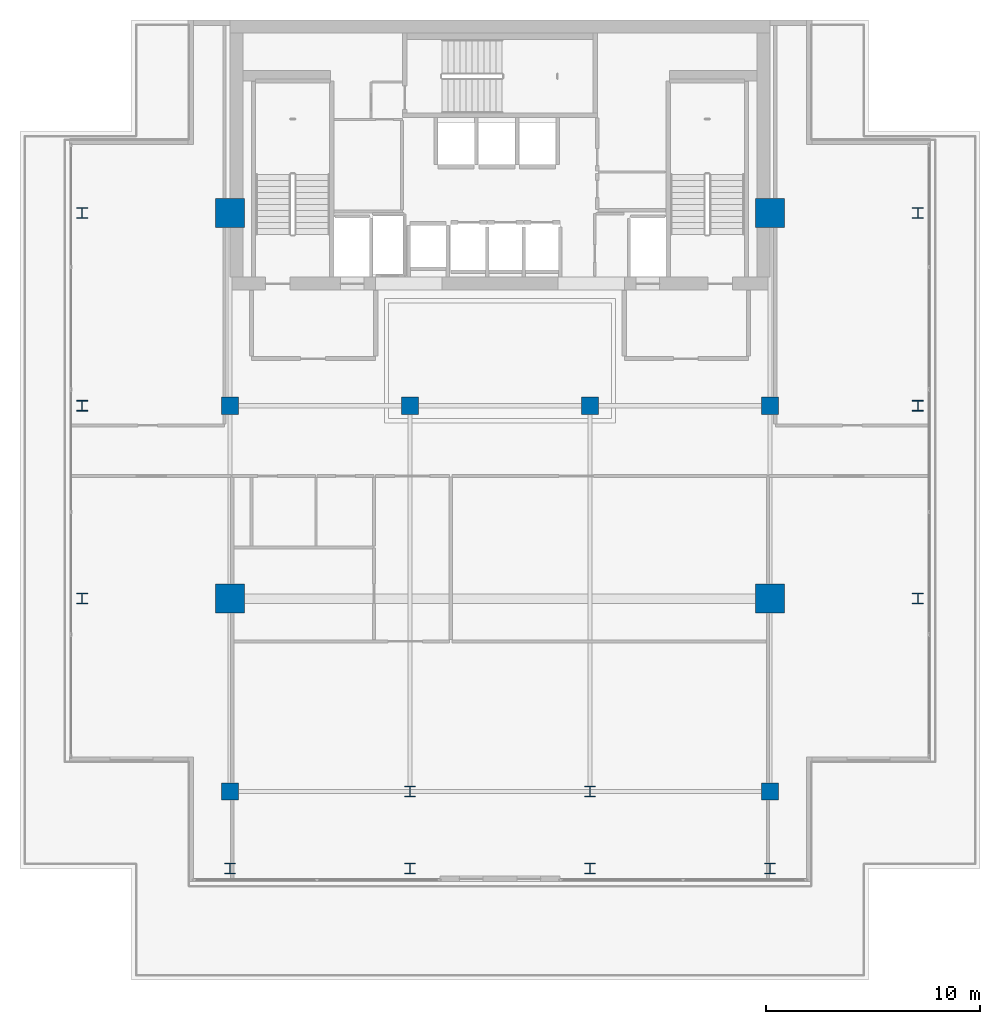
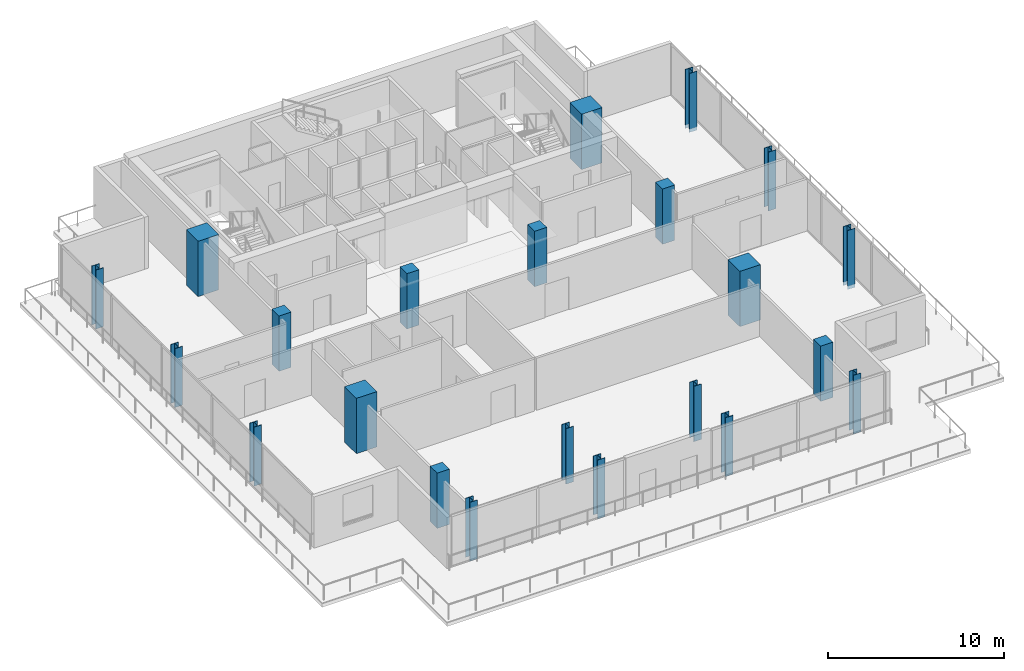
# One storey, part 1 of 21: 22 columns.
"""IFC4 building model written with IfcOpenShell, lengths in metres."""

from ifc_helpers import new_model, si_unit, direction, frame, origin, origin_2d, place, context, subcontext, project, spatial, rectangle, i_section, extrude, material, material_profile, profile_set, type_object, element, save


model = new_model("IFC4")

# Units and contexts
model_context = context("Model", 3, precision=1e-05, world=origin(), true_north=direction((0.0, 1.0)))
body_context = subcontext(model_context, "Body", "Model", "MODEL_VIEW")
ifc_project = project(units=[si_unit("LENGTHUNIT", "METRE"), si_unit("AREAUNIT", "SQUARE_METRE"), si_unit("VOLUMEUNIT", "CUBIC_METRE"), si_unit("PLANEANGLEUNIT", "RADIAN"), si_unit("MASSUNIT", "GRAM", prefix="KILO")], contexts=[model_context])

# Site, building, storey
site_placement = place(None, origin())
site = spatial("IfcSite", under=ifc_project, at=site_placement, CompositionType="ELEMENT")
building_placement = place(site_placement, origin())
building = spatial("IfcBuilding", under=site, at=building_placement, Name="Maruvema Waterfront Hotel and Observation Tower", CompositionType="ELEMENT")
storey_placement = place(building_placement, frame((0.0, 0.0, 322.0)))
storey = spatial("IfcBuildingStorey", under=building, at=storey_placement, Name="L79", CompositionType="ELEMENT", Elevation=322.0)

# Columns
ifc_material_1 = material(Name="Concrete C70/85", Category="concrete")
ifc_material_profile_1 = material_profile(ifc_material_1, rectangle(XDim=1.35009765625, YDim=1.35009765625, at=origin_2d()), Name="MC1350x1350")
ifc_profile_set_1 = profile_set([ifc_material_profile_1], Name="Concrete C70/85")
column_type_1 = type_object("IfcColumnType", Name="Continuous Mega-Column MC1350x1350", PredefinedType="COLUMN", material=ifc_profile_set_1)
for number, where, z_axis, x_axis, name in (
    (1, (25.199951171875, 27.0, 0.0), (0.0, 0.0, 1.0), (1.0, 0.0, 0.0), "L79 Continuous Mega-Column MC-01"),
    (2, (50.39990234375, 27.0, 0.0), (0.0, 0.0, 1.0), (1.0, 0.0, 0.0), "L79 Continuous Mega-Column MC-02"),
    (3, (25.199951171875, 45.0, 0.0), (0.0, 0.0, 1.0), (1.0, 0.0, 0.0), "L79 Continuous Mega-Column MC-03"),
    (4, (50.39990234375, 45.0, 0.0), (0.0, 0.0, 1.0), (1.0, 0.0, 0.0), "L79 Continuous Mega-Column MC-04"),
):
    element("IfcColumn", number, at=place(storey_placement, frame(where, z_axis=z_axis, x_axis=x_axis)), inside=storey, type_object=column_type_1, Name=name, PredefinedType="COLUMN", context=body_context, shape_type="SweptSolid", body=[
        extrude(rectangle(XDim=1.35009765625, YDim=1.35009765625, at=origin_2d()), origin(), (0.0, 0.0, 1.0), 3.85009765625),
    ])
ifc_material_2 = material(Name="Concrete C60/75", Category="concrete")
ifc_material_profile_2 = material_profile(ifc_material_2, rectangle(XDim=0.800048828125, YDim=0.800048828125, at=origin_2d()), Name="RC800x800")
ifc_profile_set_2 = profile_set([ifc_material_profile_2], Name="Concrete C60/75")
column_type_2 = type_object("IfcColumnType", Name="Reinforced Concrete Column RC800x800", PredefinedType="COLUMN", material=ifc_profile_set_2)
for number, where, z_axis, x_axis, name in (
    (5, (25.199951171875, 36.0, 0.0), (0.0, 0.0, 1.0), (1.0, 0.0, 0.0), "L79 Column C-4E"),
    (6, (33.60009765625, 36.0, 0.0), (0.0, 0.0, 1.0), (1.0, 0.0, 0.0), "L79 Column C-5E"),
    (7, (42.0, 36.0, 0.0), (0.0, 0.0, 1.0), (1.0, 0.0, 0.0), "L79 Column C-6E"),
    (8, (50.39990234375, 36.0, 0.0), (0.0, 0.0, 1.0), (1.0, 0.0, 0.0), "L79 Column C-7E"),
    (9, (25.199951171875, 18.0, 0.0), (0.0, 0.0, 1.0), (1.0, 0.0, 0.0), "L79 Column C-4C"),
    (10, (50.39990234375, 18.0, 0.0), (0.0, 0.0, 1.0), (1.0, 0.0, 0.0), "L79 Column C-7C"),
):
    element("IfcColumn", number, at=place(storey_placement, frame(where, z_axis=z_axis, x_axis=x_axis)), inside=storey, type_object=column_type_2, Name=name, PredefinedType="COLUMN", context=body_context, shape_type="SweptSolid", body=[
        extrude(rectangle(XDim=0.800048828125, YDim=0.800048828125, at=origin_2d()), origin(), (0.0, 0.0, 1.0), 3.85009765625),
    ])
ifc_material_3 = material(Name="Steel ABNT NBR 7007 AR 415 (ASTM A572 Grade 50)", Category="steel")
ifc_material_profile_3 = material_profile(ifc_material_3, i_section(OverallWidth=0.5, OverallDepth=0.5, WebThickness=0.02197265625, FlangeThickness=0.031982421875, at=origin_2d()), Name="CVS500x223")
ifc_profile_set_3 = profile_set([ifc_material_profile_3], Name="Steel ABNT NBR 7007 AR 415 (ASTM A572 Grade 50)")
column_type_3 = type_object("IfcColumnType", Name="Structural Steel Column CVS500x223", PredefinedType="COLUMN", material=ifc_profile_set_3)
for number, where, z_axis, x_axis, name in (
    (11, (33.60009765625, 18.0, 0.0), (0.0, 0.0, 1.0), (1.0, 0.0, 0.0), "L79 Column C-5C"),
    (12, (42.0, 18.0, 0.0), (0.0, 0.0, 1.0), (1.0, 0.0, 0.0), "L79 Column C-6C"),
):
    element("IfcColumn", number, at=place(storey_placement, frame(where, z_axis=z_axis, x_axis=x_axis)), inside=storey, type_object=column_type_3, Name=name, PredefinedType="COLUMN", context=body_context, shape_type="SweptSolid", body=[
        extrude(i_section(OverallWidth=0.5, OverallDepth=0.5, WebThickness=0.02197265625, FlangeThickness=0.031982421875, at=origin_2d()), origin(), (0.0, 0.0, 1.0), 3.85009765625),
    ])
for number, where, z_axis, x_axis, name in (
    (13, (18.300048828125, 27.0, -0.239990234375), (0.0, 0.0, 1.0), (1.0, 0.0, 0.0), "L79 Column C-Z4W27"),
    (14, (57.300048828125, 27.0, -0.239990234375), (0.0, 0.0, 1.0), (1.0, 0.0, 0.0), "L79 Column C-Z4E27"),
    (15, (18.300048828125, 36.0, -0.239990234375), (0.0, 0.0, 1.0), (1.0, 0.0, 0.0), "L79 Column C-Z4W36"),
    (16, (57.300048828125, 36.0, -0.239990234375), (0.0, 0.0, 1.0), (1.0, 0.0, 0.0), "L79 Column C-Z4E36"),
    (17, (18.300048828125, 45.0, -0.239990234375), (0.0, 0.0, 1.0), (1.0, 0.0, 0.0), "L79 Column C-Z4W45"),
    (18, (57.300048828125, 45.0, -0.239990234375), (0.0, 0.0, 1.0), (1.0, 0.0, 0.0), "L79 Column C-Z4E45"),
    (19, (25.199951171875, 14.39990234375, -0.239990234375), (0.0, 0.0, 1.0), (1.0, 0.0, 0.0), "L79 Column C-Z4S4"),
    (20, (33.60009765625, 14.39990234375, -0.239990234375), (0.0, 0.0, 1.0), (1.0, 0.0, 0.0), "L79 Column C-Z4S5"),
    (21, (42.0, 14.39990234375, -0.239990234375), (0.0, 0.0, 1.0), (1.0, 0.0, 0.0), "L79 Column C-Z4S6"),
    (22, (50.39990234375, 14.39990234375, -0.239990234375), (0.0, 0.0, 1.0), (1.0, 0.0, 0.0), "L79 Column C-Z4S7"),
):
    element("IfcColumn", number, at=place(storey_placement, frame(where, z_axis=z_axis, x_axis=x_axis)), inside=storey, type_object=column_type_3, Name=name, PredefinedType="COLUMN", context=body_context, shape_type="SweptSolid", body=[
        extrude(i_section(OverallWidth=0.5, OverallDepth=0.5, WebThickness=0.02197265625, FlangeThickness=0.031982421875, at=origin_2d()), origin(), (0.0, 0.0, 1.0), 4.090087890625),
    ])

save(model, "model.ifc")
